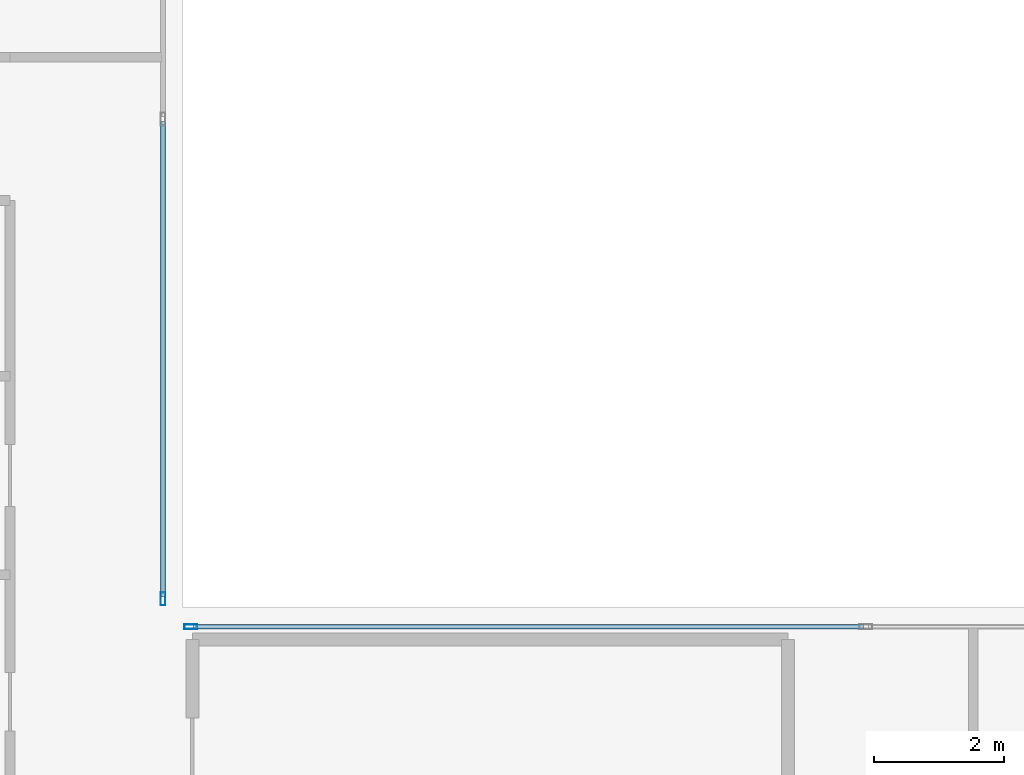
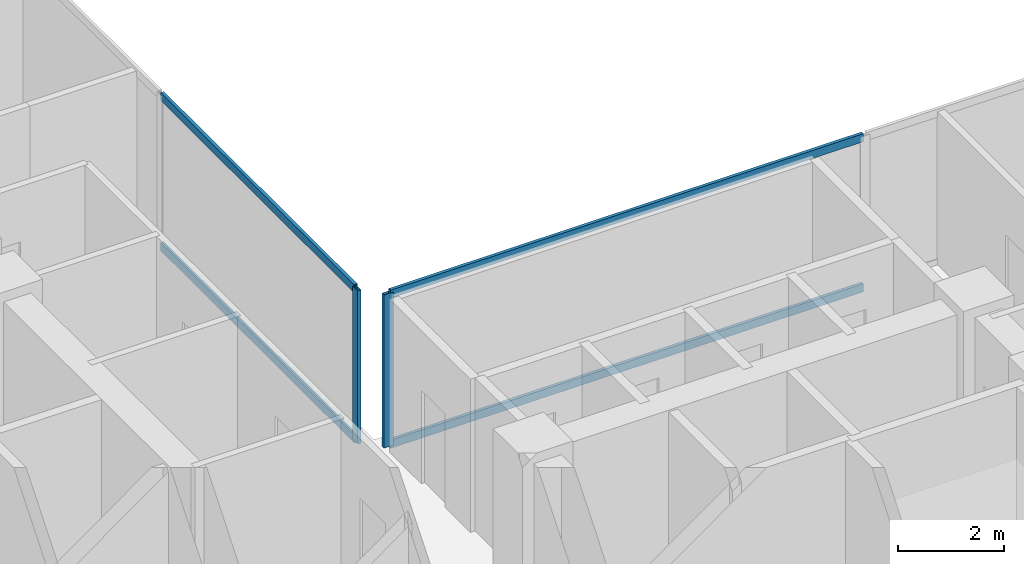
# One storey, part 9 of 28: 6 members, 2 elements without a shape of their own.
"""IFC4 building model written with IfcOpenShell, lengths in metres."""

from ifc_helpers import new_model, si_unit, direction, frame, origin, origin_2d, place, context, subcontext, project, spatial, hollow_rectangle, extrude, material, layer, layer_set, material_profile, profile_set, type_object, element, aggregate, save


model = new_model("IFC4")

# Units and contexts
model_context = context("Model", 3, precision=1e-05, world=origin(), true_north=direction((0.0, 1.0)))
body_context = subcontext(model_context, "Body", "Model", "MODEL_VIEW")
ifc_project = project(units=[si_unit("LENGTHUNIT", "METRE"), si_unit("AREAUNIT", "SQUARE_METRE"), si_unit("VOLUMEUNIT", "CUBIC_METRE"), si_unit("PLANEANGLEUNIT", "RADIAN"), si_unit("MASSUNIT", "GRAM", prefix="KILO"), si_unit("THERMODYNAMICTEMPERATUREUNIT", "KELVIN"), si_unit("POWERUNIT", "WATT")], contexts=[model_context])

# Site, building, storey
site_placement = place(None, origin())
site = spatial("IfcSite", under=ifc_project, at=site_placement, CompositionType="ELEMENT")
building_placement = place(site_placement, origin())
building = spatial("IfcBuilding", under=site, at=building_placement, Name="Svarakhadi Broadcast Tower", CompositionType="ELEMENT")
storey_placement = place(building_placement, frame((0.0, 0.0, 134.39990234375)))
storey = spatial("IfcBuildingStorey", under=building, at=storey_placement, Name="L32", CompositionType="ELEMENT", Elevation=134.39990234375)

# Curtain wall, member
ifc_material = material(Name="Anodised Bronze Aluminium AA 6063-T6", Category="aluminium")
ifc_layer = layer(ifc_material, 0.199951171875)
ifc_layer_set = layer_set([ifc_layer], Name="Anodised Bronze Aluminium AA 6063-T6")
curtain_wall_type = type_object("IfcCurtainWallType", Name="CW_Sys_03", PredefinedType="NOTDEFINED", material=ifc_layer_set)
curtain_wall_1_placement = place(storey_placement, origin())
curtain_wall_1 = element("IfcCurtainWall", 1, at=curtain_wall_1_placement, inside=storey, type_object=curtain_wall_type, Name="L32 Unitised Facade Curtain Wall 09", PredefinedType="NOTDEFINED")
ifc_material_profile_1 = material_profile(ifc_material, hollow_rectangle(XDim=0.074951171875, YDim=0.199951171875, WallThickness=0.005615234375, at=origin_2d()), Name="ALU MULLION 200x75x6")
ifc_profile_set_1 = profile_set([ifc_material_profile_1], Name="Anodised Bronze Aluminium AA 6063-T6")
member_type_1 = type_object("IfcMemberType", Name="CW_Sys_03_Mul", PredefinedType="MULLION", material=ifc_profile_set_1)
member_1_placement = place(storey_placement, frame((23.699951171875, 24.12744140625, 0.0), z_axis=(0.0, 0.0, 1.0), x_axis=(1.0, 0.0, 0.0)))
member_1 = element("IfcMember", 2, at=member_1_placement, type_object=member_type_1, Name="CW-03 mullion 3", PredefinedType="MULLION", context=body_context, shape_type="SweptSolid", body=[
    extrude(hollow_rectangle(XDim=0.074951171875, YDim=0.199951171875, WallThickness=0.005615234375, at=origin_2d()), origin(), (0.0, 0.0, 1.0), 3.525146484375),
])

curtain_wall_2_placement = place(storey_placement, origin())
curtain_wall_2 = element("IfcCurtainWall", 3, at=curtain_wall_2_placement, inside=storey, type_object=curtain_wall_type, Name="L32 Unitised Facade Curtain Wall 10", PredefinedType="NOTDEFINED")
member_2_placement = place(storey_placement, frame((24.12744140625, 23.699951171875, 0.0), z_axis=(0.0, 0.0, 1.0), x_axis=(0.0, 1.0, 0.0)))
member_2 = element("IfcMember", 4, at=member_2_placement, type_object=member_type_1, Name="CW-03 mullion 1", PredefinedType="MULLION", context=body_context, shape_type="SweptSolid", body=[
    extrude(hollow_rectangle(XDim=0.074951171875, YDim=0.199951171875, WallThickness=0.005615234375, at=origin_2d()), origin(), (0.0, 0.0, 1.0), 3.525146484375),
])

# Member
ifc_material_profile_2 = material_profile(ifc_material, hollow_rectangle(XDim=0.070068359375, YDim=0.18505859375, WallThickness=0.0048828125, at=origin_2d()), Name="ALU TRANSOM 185x70x5")
ifc_profile_set_2 = profile_set([ifc_material_profile_2], Name="Anodised Bronze Aluminium AA 6063-T6")
member_type_2 = type_object("IfcMemberType", Name="CW_Sys_03_Trn", PredefinedType="USERDEFINED", material=ifc_profile_set_2)
member_3_placement = place(storey_placement, frame((23.699951171875, 31.46240234375, 0.03515625), z_axis=(0.0, -1.0, 0.0), x_axis=(1.0, 0.0, 0.0)))
member_3 = element("IfcMember", 5, at=member_3_placement, type_object=member_type_2, Name="CW-03 transom 2.1", ObjectType="TRANSOM", PredefinedType="USERDEFINED", context=body_context, shape_type="SweptSolid", body=[
    extrude(hollow_rectangle(XDim=0.070068359375, YDim=0.18505859375, WallThickness=0.0048828125, at=origin_2d()), origin(), (0.0, 0.0, 1.0), 7.29736328125),
])

member_4_placement = place(storey_placement, frame((23.699951171875, 31.46240234375, 3.489990234375), z_axis=(0.0, -1.0, 0.0), x_axis=(1.0, 0.0, 0.0)))
member_4 = element("IfcMember", 6, at=member_4_placement, type_object=member_type_2, Name="CW-03 transom 2.2", ObjectType="TRANSOM", PredefinedType="USERDEFINED", context=body_context, shape_type="SweptSolid", body=[
    extrude(hollow_rectangle(XDim=0.070068359375, YDim=0.18505859375, WallThickness=0.0048828125, at=origin_2d()), origin(), (0.0, 0.0, 1.0), 7.29736328125),
])

aggregate(curtain_wall_1, [member_1, member_3, member_4])

member_5_placement = place(storey_placement, frame((24.1650390625, 23.699951171875, 0.03515625), z_axis=(1.0, 0.0, 0.0), x_axis=(0.0, 1.0, 0.0)))
member_5 = element("IfcMember", 7, at=member_5_placement, type_object=member_type_2, Name="CW-03 transom 1.1", ObjectType="TRANSOM", PredefinedType="USERDEFINED", context=body_context, shape_type="SweptSolid", body=[
    extrude(hollow_rectangle(XDim=0.070068359375, YDim=0.18505859375, WallThickness=0.0048828125, at=origin_2d()), origin(), (0.0, 0.0, 1.0), 10.29736328125),
])

member_6_placement = place(storey_placement, frame((24.1650390625, 23.699951171875, 3.489990234375), z_axis=(1.0, 0.0, 0.0), x_axis=(0.0, 1.0, 0.0)))
member_6 = element("IfcMember", 8, at=member_6_placement, type_object=member_type_2, Name="CW-03 transom 1.2", ObjectType="TRANSOM", PredefinedType="USERDEFINED", context=body_context, shape_type="SweptSolid", body=[
    extrude(hollow_rectangle(XDim=0.070068359375, YDim=0.18505859375, WallThickness=0.0048828125, at=origin_2d()), origin(), (0.0, 0.0, 1.0), 10.29736328125),
])

aggregate(curtain_wall_2, [member_2, member_5, member_6])

save(model, "model.ifc")
